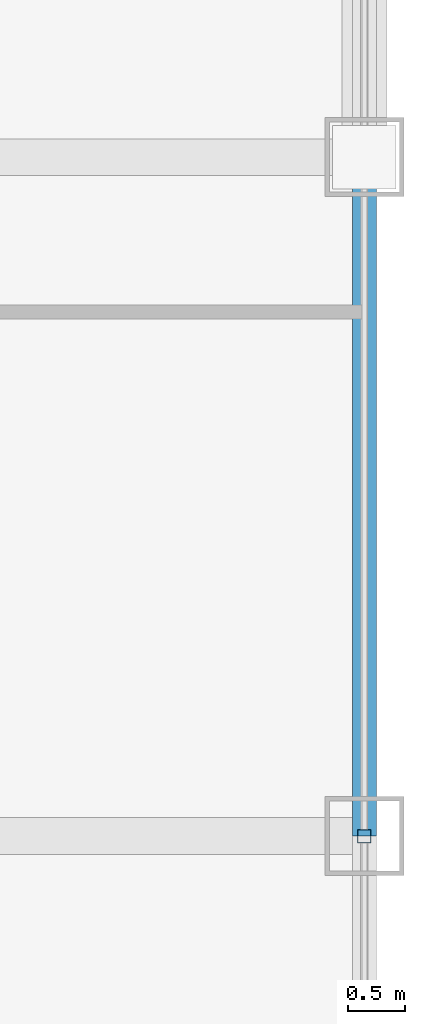
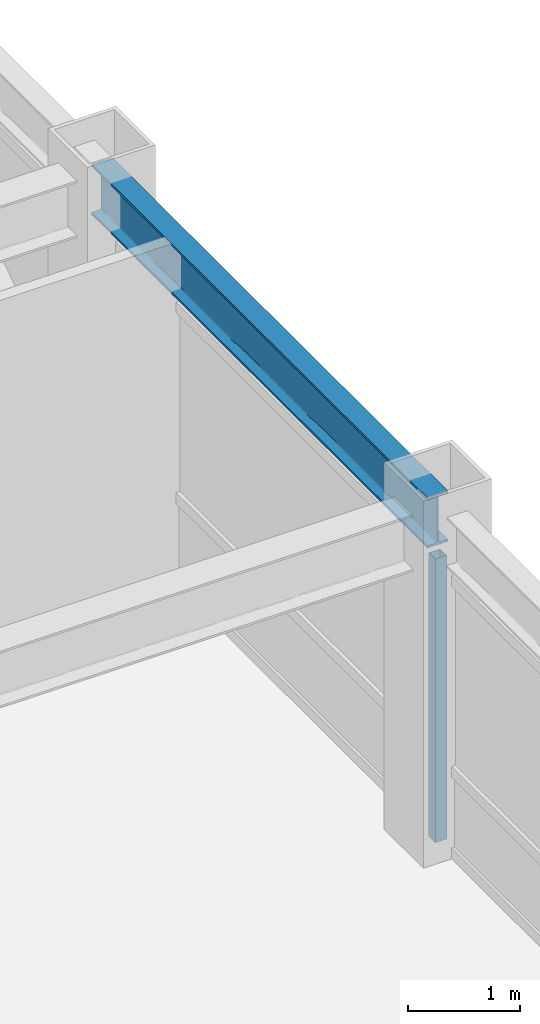
# One storey, part 12 of 29: 1 beam, 1 member, 1 element without a shape of its own.
"""IFC4 building model written with IfcOpenShell, lengths in metres."""

from ifc_helpers import new_model, si_unit, direction, frame, origin, origin_2d, place, context, subcontext, project, spatial, hollow_rectangle, i_section, extrude, source, transform, mapped, material, material_profile, profile_set, type_object, element, aggregate, save


model = new_model("IFC4")

# Units and contexts
model_context = context("Model", 3, precision=1e-05, world=origin(), true_north=direction((0.0, 1.0)))
body_context = subcontext(model_context, "Body", "Model", "MODEL_VIEW")
ifc_project = project(units=[si_unit("LENGTHUNIT", "METRE"), si_unit("AREAUNIT", "SQUARE_METRE"), si_unit("VOLUMEUNIT", "CUBIC_METRE"), si_unit("PLANEANGLEUNIT", "RADIAN"), si_unit("MASSUNIT", "GRAM", prefix="KILO")], contexts=[model_context])

# Site, building, storey
site_placement = place(None, origin())
site = spatial("IfcSite", under=ifc_project, at=site_placement, CompositionType="ELEMENT")
building_placement = place(site_placement, origin())
building = spatial("IfcBuilding", under=site, at=building_placement, Name="Khorayat Bourse Tower", CompositionType="ELEMENT")
storey_placement = place(building_placement, frame((0.0, 0.0, 358.300048828125)))
storey = spatial("IfcBuildingStorey", under=building, at=storey_placement, Name="L85", CompositionType="ELEMENT", Elevation=358.300048828125)

# Beam
ifc_material_1 = material(Name="Steel ASTM A992 Grade 50", Category="steel")
ifc_material_profile_1 = material_profile(ifc_material_1, i_section(OverallWidth=0.214111328125, OverallDepth=0.549072265625, WebThickness=0.0146484375, FlangeThickness=0.023681640625, FilletRadius=0.013916015625, at=origin_2d()), Name="W530X138")
ifc_profile_set_1 = profile_set([ifc_material_profile_1], Name="Steel ASTM A992 Grade 50")
beam_type = type_object("IfcBeamType", Name="BM-SPAN-530", PredefinedType="SPANDREL", material=ifc_profile_set_1)
shared_shape_1 = source(origin(), body_context, "Body", "SweptSolid", [
    extrude(i_section(OverallWidth=0.214111328125, OverallDepth=0.549072265625, WebThickness=0.0146484375, FlangeThickness=0.023681640625, FilletRadius=0.013916015625, at=origin_2d()), origin(), (0.0, 0.0, 1.0), 6.0),
])
beam_placement = place(storey_placement, frame((26.0, 0.0, 3.46533203125), z_axis=(0.0, 1.0, 0.0), x_axis=(-1.0, 0.0, 0.0)))
element("IfcBeam", 1, at=beam_placement, inside=storey, type_object=beam_type, Name="L85 BM-SPAN-530 BM-L85-SPN-035", PredefinedType="SPANDREL", context=body_context, shape_type="MappedRepresentation", body=[
    mapped(shared_shape_1, transform((0.0, 0.0, 0.0), scale=1.0)),
])

# Curtain wall, member
ifc_material_2 = material(Name="Aluminium EN AW-6063 T6", Category="aluminium")
curtain_wall_type = type_object("IfcCurtainWallType", Name="CW-SYS-04", PredefinedType="NOTDEFINED", material=ifc_material_2)
curtain_wall_placement = place(storey_placement, origin())
curtain_wall = element("IfcCurtainWall", 2, at=curtain_wall_placement, inside=storey, type_object=curtain_wall_type, Name="L85 Curtain Wall CW-L85-E1", PredefinedType="NOTDEFINED")
ifc_material_profile_2 = material_profile(ifc_material_2, hollow_rectangle(XDim=0.1201171875, YDim=0.1201171875, WallThickness=0.0048828125, at=origin_2d()), Name="ALU 120x120x5")
ifc_profile_set_2 = profile_set([ifc_material_profile_2], Name="Aluminium EN AW-6063 T6")
member_type = type_object("IfcMemberType", Name="CWM-VERT-120", PredefinedType="MULLION", material=ifc_profile_set_2)
shared_shape_2 = source(origin(), body_context, "Body", "SweptSolid", [
    extrude(hollow_rectangle(XDim=0.1201171875, YDim=0.1201171875, WallThickness=0.0048828125, at=origin_2d()), origin(), (0.0, 0.0, 1.0), 3.08984375),
])
member_placement = place(storey_placement, frame((26.0, 0.0, 0.0), z_axis=(0.0, 0.0, 1.0), x_axis=(-1.0, 0.0, 0.0)))
member = element("IfcMember", 3, at=member_placement, type_object=member_type, Name="CW-L85-E1 Vertical Mullion 2", PredefinedType="MULLION", context=body_context, shape_type="MappedRepresentation", body=[
    mapped(shared_shape_2, transform((0.0, 0.0, 0.0), scale=1.0)),
])
aggregate(curtain_wall, [member])

save(model, "model.ifc")
